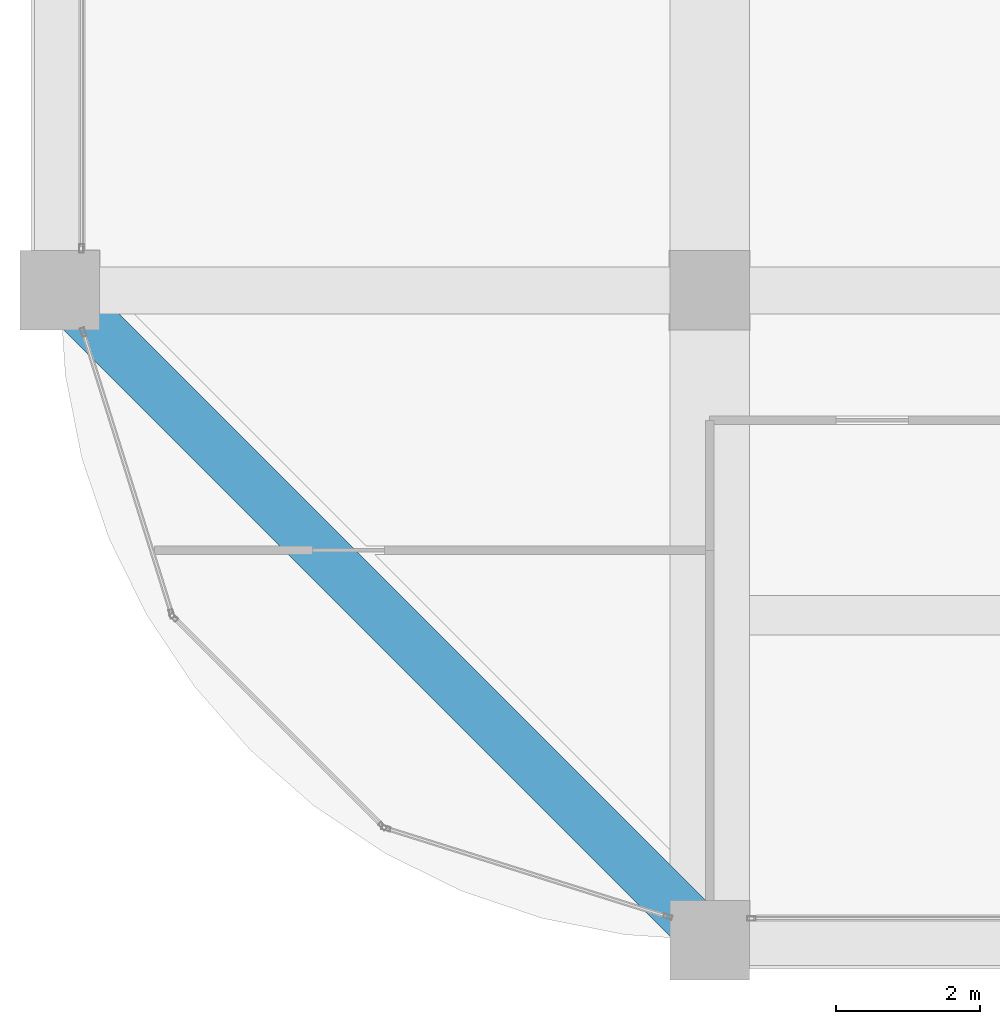
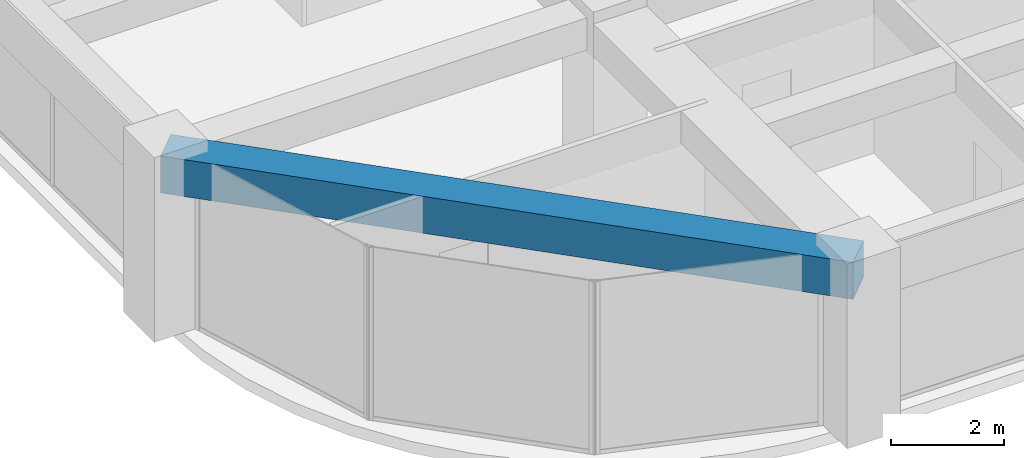
# One storey, part 3 of 44: 1 beam.
"""IFC4 building model written with IfcOpenShell, lengths in metres."""

from ifc_helpers import new_model, si_unit, direction, frame, origin, origin_2d, place, context, subcontext, project, spatial, rectangle, extrude, material, material_profile, profile_set, type_object, element, save


model = new_model("IFC4")

# Units and contexts
model_context = context("Model", 3, precision=1e-05, world=origin(), true_north=direction((0.0, 1.0)))
body_context = subcontext(model_context, "Body", "Model", "MODEL_VIEW")
ifc_project = project(units=[si_unit("LENGTHUNIT", "METRE"), si_unit("AREAUNIT", "SQUARE_METRE"), si_unit("VOLUMEUNIT", "CUBIC_METRE"), si_unit("PLANEANGLEUNIT", "RADIAN"), si_unit("MASSUNIT", "GRAM", prefix="KILO")], contexts=[model_context])

# Site, building, storey
site_placement = place(None, origin())
site = spatial("IfcSite", under=ifc_project, at=site_placement, CompositionType="ELEMENT")
building_placement = place(site_placement, origin())
building = spatial("IfcBuilding", under=site, at=building_placement, Name="Zorevar Civic Tower", CompositionType="ELEMENT")
storey_placement = place(building_placement, frame((0.0, 0.0, 299.39990234375)))
storey = spatial("IfcBuildingStorey", under=building, at=storey_placement, Name="L73", CompositionType="ELEMENT", Elevation=299.39990234375)

# Beam
ifc_material = material(Name="Concrete C50/60", Category="concrete")
ifc_material_profile = material_profile(ifc_material, rectangle(XDim=0.699951171875, YDim=0.800048828125, at=origin_2d()), Name="RC 700x800")
ifc_profile_set = profile_set([ifc_material_profile], Name="Concrete C50/60")
beam_type = type_object("IfcBeamType", Name="Edge beam RC 700x800", PredefinedType="SPANDREL", material=ifc_profile_set)
beam_placement = place(storey_placement, frame((9.0, 9.0, 3.35009765625), z_axis=(0.707106781187, -0.707106781187, 0.0), x_axis=(0.707106781187, 0.707106781187, 0.0)))
element("IfcBeam", 1, at=beam_placement, inside=storey, type_object=beam_type, Name="Corner edge beam L74", PredefinedType="SPANDREL", context=body_context, shape_type="SweptSolid", body=[
    extrude(rectangle(XDim=0.699951171875, YDim=0.800048828125, at=origin_2d()), origin(), (0.0, 0.0, 1.0), 12.72802734375),
])

save(model, "model.ifc")
